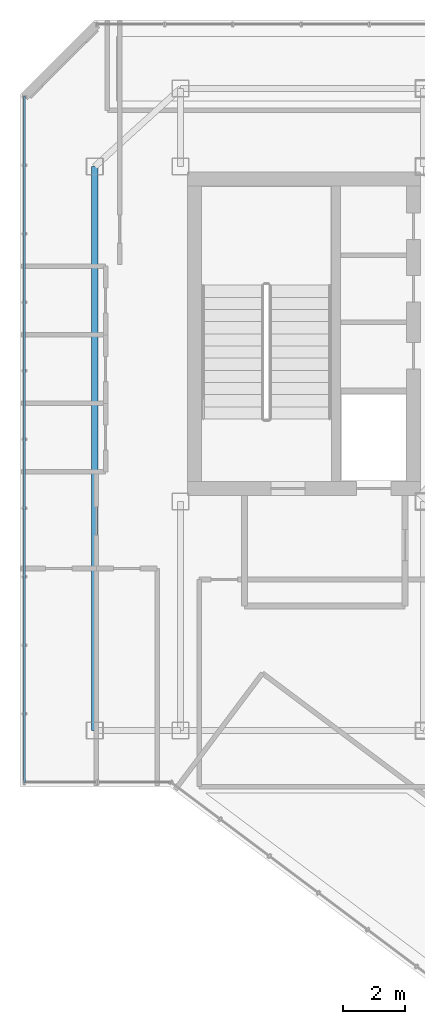
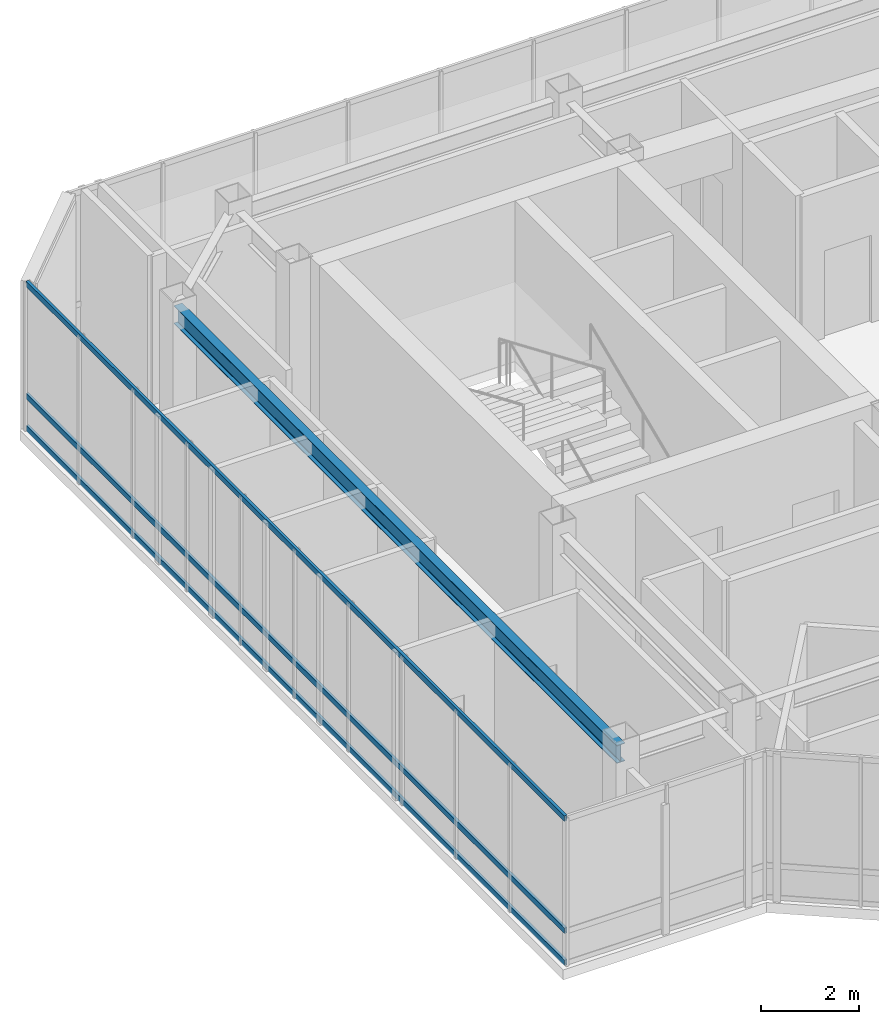
# One storey, part 9 of 24: 3 members, 1 beam, 1 element without a shape of its own.
"""IFC4 building model written with IfcOpenShell, lengths in metres."""

from ifc_helpers import new_model, si_unit, direction, frame, origin, origin_2d, place, context, subcontext, project, spatial, hollow_rectangle, i_section, extrude, material, layer, layer_set, material_profile, profile_set, type_object, element, aggregate, save


model = new_model("IFC4")

# Units and contexts
model_context = context("Model", 3, precision=1e-05, world=origin(), true_north=direction((0.0, 1.0)))
body_context = subcontext(model_context, "Body", "Model", "MODEL_VIEW")
ifc_project = project(units=[si_unit("LENGTHUNIT", "METRE"), si_unit("AREAUNIT", "SQUARE_METRE"), si_unit("VOLUMEUNIT", "CUBIC_METRE"), si_unit("PLANEANGLEUNIT", "RADIAN"), si_unit("MASSUNIT", "GRAM", prefix="KILO")], contexts=[model_context])

# Site, building, storey
site_placement = place(None, origin())
site = spatial("IfcSite", under=ifc_project, at=site_placement, CompositionType="ELEMENT")
building_placement = place(site_placement, origin())
building = spatial("IfcBuilding", under=site, at=building_placement, Name="Hatsunagi Terrace Concourse", CompositionType="ELEMENT")
storey_placement = place(building_placement, frame((0.0, 0.0, 285.949951171875)))
storey = spatial("IfcBuildingStorey", under=building, at=storey_placement, Name="L75", CompositionType="ELEMENT", Elevation=285.949951171875)

# Curtain wall, members
ifc_material_1 = material(Name="Anodised Aluminium Alloy 6063-T5", Category="aluminium")
ifc_layer = layer(ifc_material_1, 0.199951171875)
ifc_layer_set = layer_set([ifc_layer], Name="CrownWintergarden_CW06")
curtain_wall_type = type_object("IfcCurtainWallType", Name="CrownWintergarden_CW06", PredefinedType="NOTDEFINED", material=ifc_layer_set)
curtain_wall_placement = place(storey_placement, origin())
curtain_wall = element("IfcCurtainWall", 1, at=curtain_wall_placement, inside=storey, type_object=curtain_wall_type, Name="Unitised Curtain Wall CW-06 CW-L75-07", PredefinedType="NOTDEFINED")
ifc_material_2 = material(Name="Anodised Aluminium Alloy 6063-T5", Category="aluminium")
ifc_material_profile_1 = material_profile(ifc_material_2, hollow_rectangle(XDim=0.06494140625, YDim=0.139892578125, WallThickness=0.00390625, at=origin_2d()), Name="ALU-TRN-140x65x4")
ifc_profile_set_1 = profile_set([ifc_material_profile_1], Name="Anodised Aluminium Alloy 6063-T5")
member_type = type_object("IfcMemberType", Name="CurtainWallTransom_140x65", PredefinedType="USERDEFINED", material=ifc_profile_set_1)
member_1_placement = place(storey_placement, frame((20.5400390625, 23.5400390625, 0.050048828125), z_axis=(0.0, 1.0, 0.0), x_axis=(-1.0, 0.0, 0.0)))
member_1 = element("IfcMember", 2, at=member_1_placement, type_object=member_type, Name="Curtain Wall Transom TRN-02", ObjectType="TRANSOM", PredefinedType="USERDEFINED", context=body_context, shape_type="SweptSolid", body=[
    extrude(hollow_rectangle(XDim=0.06494140625, YDim=0.139892578125, WallThickness=0.00390625, at=origin_2d()), origin(), (0.0, 0.0, 1.0), 22.001953125),
])
member_2_placement = place(storey_placement, frame((20.5400390625, 23.5400390625, 0.85009765625), z_axis=(0.0, 1.0, 0.0), x_axis=(-1.0, 0.0, 0.0)))
member_2 = element("IfcMember", 3, at=member_2_placement, type_object=member_type, Name="Curtain Wall Transom TRN-02", ObjectType="TRANSOM", PredefinedType="USERDEFINED", context=body_context, shape_type="SweptSolid", body=[
    extrude(hollow_rectangle(XDim=0.06494140625, YDim=0.139892578125, WallThickness=0.00390625, at=origin_2d()), origin(), (0.0, 0.0, 1.0), 22.001953125),
])
member_3_placement = place(storey_placement, frame((20.5400390625, 23.5400390625, 3.650146484375), z_axis=(0.0, 1.0, 0.0), x_axis=(-1.0, 0.0, 0.0)))
member_3 = element("IfcMember", 4, at=member_3_placement, type_object=member_type, Name="Curtain Wall Transom TRN-02", ObjectType="TRANSOM", PredefinedType="USERDEFINED", context=body_context, shape_type="SweptSolid", body=[
    extrude(hollow_rectangle(XDim=0.06494140625, YDim=0.139892578125, WallThickness=0.00390625, at=origin_2d()), origin(), (0.0, 0.0, 1.0), 22.001953125),
])
aggregate(curtain_wall, [member_1, member_2, member_3])

# Beam
ifc_material_3 = material(Name="Steel SN490B", Category="steel")
ifc_material_profile_2 = material_profile(ifc_material_3, i_section(OverallWidth=0.199951171875, OverallDepth=0.449951171875, WebThickness=0.009033203125, FlangeThickness=0.013916015625, FilletRadius=0.01611328125, at=origin_2d()), Name="H-450x200x9x14")
ifc_profile_set_2 = profile_set([ifc_material_profile_2], Name="Steel SN490B")
beam_type = type_object("IfcBeamType", Name="PerimeterSpandrel_H_450x200", PredefinedType="SPANDREL", material=ifc_profile_set_2)
beam_placement = place(storey_placement, frame((22.800048828125, 25.199951171875, 3.47509765625), z_axis=(0.0, 1.0, 0.0), x_axis=(-1.0, 0.0, 0.0)))
element("IfcBeam", 5, at=beam_placement, inside=storey, type_object=beam_type, Name="Beam SP-02 BM-L75-CWNS", PredefinedType="SPANDREL", context=body_context, shape_type="SweptSolid", body=[
    extrude(i_section(OverallWidth=0.199951171875, OverallDepth=0.449951171875, WebThickness=0.009033203125, FlangeThickness=0.013916015625, FilletRadius=0.01611328125, at=origin_2d()), origin(), (0.0, 0.0, 1.0), 18.10009765625),
])

save(model, "model.ifc")
